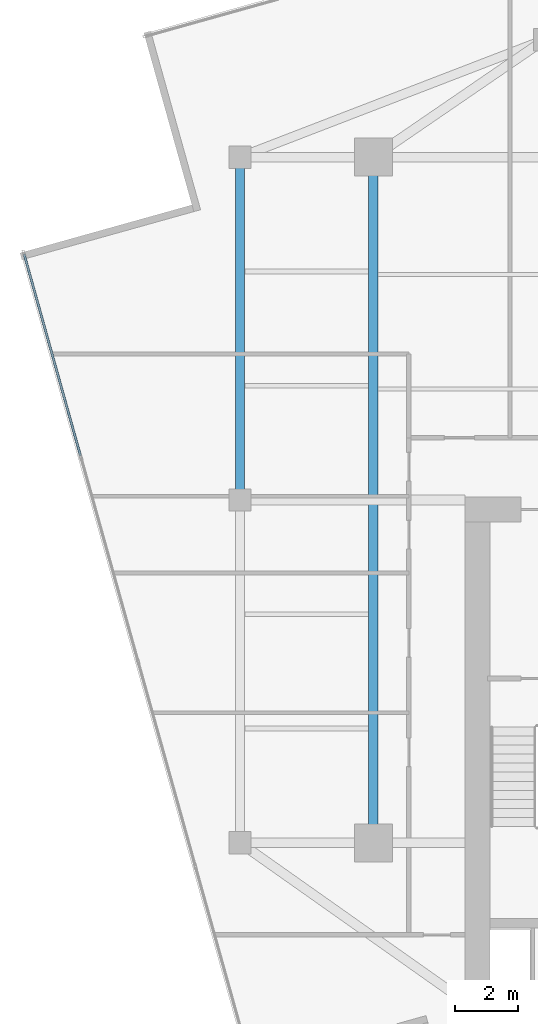
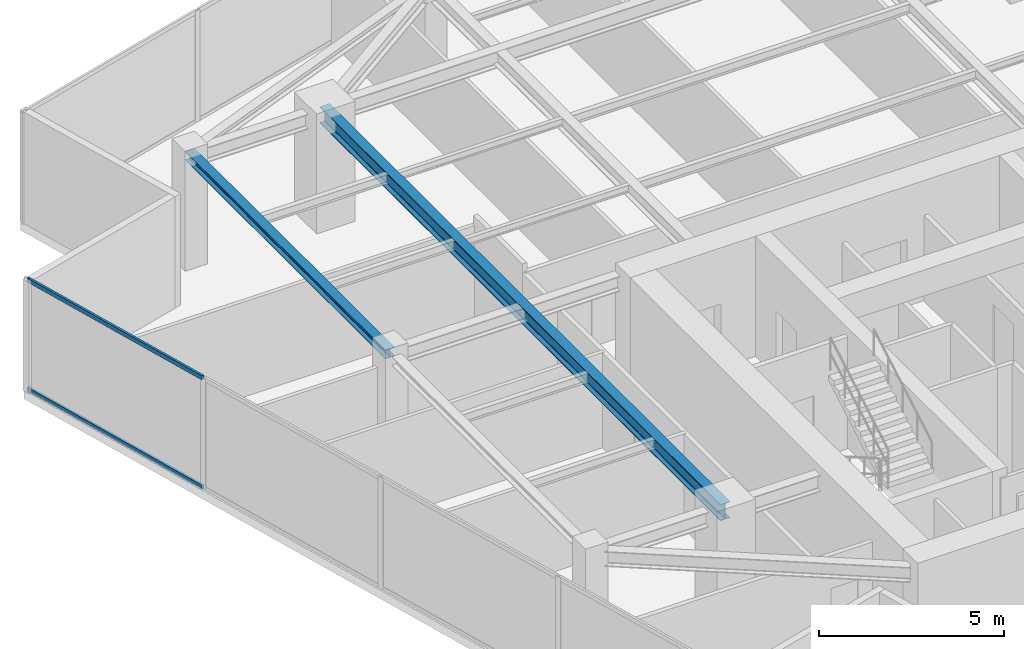
# One storey, part 6 of 20: 2 beams, 2 members, 1 element without a shape of its own.
"""IFC4 building model written with IfcOpenShell, lengths in metres."""

import ifcopenshell
import ifcopenshell.guid

model = None  # the IFC model being written
_history = None  # IfcOwnerHistory: only IFC2X3 demands one
_inside = {}  # id of a spatial element -> (the spatial element, [elements in it])
_under = {}  # id of a project, library or spatial element -> (it, [spatial elements below it])
_declared = {}  # id of a project -> (the project, [libraries it declares])
_typed = {}  # id of a type object -> (the type object, [elements of that type])
_made_of = {}  # id of a material, layer set ... -> (it, [elements and type objects made of it])


def new_model(schema):
    """Start an empty IFC model of exactly this schema.

    Asked for "IFC4X3", IfcOpenShell would pick the latest addendum, in which some entities
    have other attributes; the version numbers below select the first issue.
    IFC2X3 requires an IfcOwnerHistory on every rooted entity: one is made here for all.
    """
    global model, _history
    if schema == "IFC4X3":
        model = ifcopenshell.file(schema_version=(4, 3, 0, 0))
    else:
        model = ifcopenshell.file(schema=schema)
    _inside.clear()
    _under.clear()
    _declared.clear()
    _typed.clear()
    _made_of.clear()
    _history = None
    if model.schema == "IFC2X3":
        org = make("IfcOrganization", Name="unknown")
        user = make(
            "IfcPersonAndOrganization",
            ThePerson=make("IfcPerson", FamilyName="unknown"),
            TheOrganization=org,
        )
        app = make(
            "IfcApplication",
            ApplicationDeveloper=org,
            Version="unknown",
            ApplicationFullName="unknown",
            ApplicationIdentifier="unknown",
        )
        _history = make(
            "IfcOwnerHistory",
            OwningUser=user,
            OwningApplication=app,
            ChangeAction="ADDED",
            CreationDate=0,
        )
    return model


def make(cls, **values):
    """One entity of the class cls with the attributes given. An attribute that is None is left unset."""
    return model.create_entity(
        cls, **{name: value for name, value in values.items() if value is not None}
    )


def rooted(cls, **values):
    """An entity with a GlobalId (a new one), such as an element, a storey or a relation."""
    return make(cls, GlobalId=ifcopenshell.guid.new(), OwnerHistory=_history, **values)


def si_unit(unit_type, name, prefix=None):
    """IfcSIUnit, for example si_unit("LENGTHUNIT", "METRE", prefix="MILLI")."""
    return make("IfcSIUnit", UnitType=unit_type, Prefix=prefix, Name=name)


def assignment(units):
    """IfcUnitAssignment: the units of a project."""
    return None if units is None else make("IfcUnitAssignment", Units=units)


def point(xyz):
    """IfcCartesianPoint."""
    return None if xyz is None else make("IfcCartesianPoint", Coordinates=xyz)


def direction(xyz):
    """IfcDirection."""
    return None if xyz is None else make("IfcDirection", DirectionRatios=xyz)


def frame(location, z_axis=None, x_axis=None):
    """IfcAxis2Placement3D, a coordinate frame: its origin and axes. An axis left out is left unset."""
    return make(
        "IfcAxis2Placement3D",
        Location=point(location),
        Axis=direction(z_axis),
        RefDirection=direction(x_axis),
    )


def frame_2d(location, x_axis=None):
    """IfcAxis2Placement2D, a coordinate frame in the plane: its origin and x axis."""
    return make(
        "IfcAxis2Placement2D", Location=point(location), RefDirection=direction(x_axis)
    )


def origin():
    """The frame at (0, 0, 0) with its axes left unset."""
    return frame((0.0, 0.0, 0.0))


def origin_2d():
    """The frame at (0, 0) in the plane with its x axis left unset."""
    return frame_2d((0.0, 0.0))


def place(relative_to, where):
    """IfcLocalPlacement: puts the frame where relative to a parent placement (None: the world)."""
    return make(
        "IfcLocalPlacement", PlacementRelTo=relative_to, RelativePlacement=where
    )


def context(
    kind, dimensions, precision=None, world=None, true_north=None, identifier=None
):
    """IfcGeometricRepresentationContext, for example the 3D "Model" context."""
    return make(
        "IfcGeometricRepresentationContext",
        ContextIdentifier=identifier,
        ContextType=kind,
        CoordinateSpaceDimension=dimensions,
        Precision=precision,
        WorldCoordinateSystem=world,
        TrueNorth=true_north,
    )


def subcontext(parent, identifier, kind, view, scale=None):
    """IfcGeometricRepresentationSubContext, for example "Body" below "Model"."""
    return make(
        "IfcGeometricRepresentationSubContext",
        ContextIdentifier=identifier,
        ContextType=kind,
        ParentContext=parent,
        TargetScale=scale,
        TargetView=view,
    )


def project(units=None, contexts=None):
    """IfcProject with its units and contexts."""
    return rooted(
        "IfcProject",
        Name="project",
        RepresentationContexts=contexts,
        UnitsInContext=assignment(units),
    )


def spatial(cls, under=None, at=None, **own):
    """A site, building, storey or space (cls), placed at a placement, below another one or the project."""
    s = rooted(cls, ObjectPlacement=at, **own)
    if under is not None:
        _under.setdefault(under.id(), (under, []))[1].append(s)
    return s


def profile(cls, at=None, kind="AREA", **sizes):
    """A parametric profile (cls). Its sizes go by their IFC names, for example OverallWidth=200.0."""
    return make(cls, ProfileType=kind, Position=at, **sizes)


def hollow_rectangle(**sizes):
    """IfcRectangleHollowProfileDef."""
    return profile("IfcRectangleHollowProfileDef", **sizes)


def i_section(**sizes):
    """IfcIShapeProfileDef."""
    return profile("IfcIShapeProfileDef", **sizes)


def extrude(swept, where, along, depth):
    """IfcExtrudedAreaSolid: the profile swept, set in the frame where, extruded along a direction by depth."""
    return make(
        "IfcExtrudedAreaSolid",
        SweptArea=swept,
        Position=where,
        ExtrudedDirection=direction(along),
        Depth=depth,
    )


def shape(context_of_items, identifier, shape_type, items):
    """IfcShapeRepresentation: the items that make up one representation, for example the "Body"."""
    return make(
        "IfcShapeRepresentation",
        ContextOfItems=context_of_items,
        RepresentationIdentifier=identifier,
        RepresentationType=shape_type,
        Items=items,
    )


def source(mapping_origin, context_of_items, identifier, shape_type, items):
    """IfcRepresentationMap: a shape defined once, which mapped items show again and again."""
    return make(
        "IfcRepresentationMap",
        MappingOrigin=mapping_origin,
        MappedRepresentation=shape(context_of_items, identifier, shape_type, items),
    )


def transform(
    local_origin,
    x_axis=None,
    y_axis=None,
    z_axis=None,
    scale=None,
    scale2=None,
    scale3=None,
    uniform=True,
):
    """IfcCartesianTransformationOperator3D, or its non-uniform kind. x_axis, y_axis, z_axis: its Axis1, 2, 3."""
    if uniform:
        return make(
            "IfcCartesianTransformationOperator3D",
            Axis1=direction(x_axis),
            Axis2=direction(y_axis),
            LocalOrigin=point(local_origin),
            Scale=scale,
            Axis3=direction(z_axis),
        )
    return make(
        "IfcCartesianTransformationOperator3DnonUniform",
        Axis1=direction(x_axis),
        Axis2=direction(y_axis),
        LocalOrigin=point(local_origin),
        Scale=scale,
        Axis3=direction(z_axis),
        Scale2=scale2,
        Scale3=scale3,
    )


def mapped(mapping_source, mapping_target):
    """IfcMappedItem: shows the shape of a source again, moved by a transform."""
    return make(
        "IfcMappedItem", MappingSource=mapping_source, MappingTarget=mapping_target
    )


def material(Name=None, Category=None):
    """IfcMaterial."""
    return make("IfcMaterial", Name=Name, Category=Category)


def material_profile(
    of_material, cross_section, Name=None, Category=None, Priority=None
):
    """IfcMaterialProfile: a cross section and its material."""
    return make(
        "IfcMaterialProfile",
        Name=Name,
        Material=of_material,
        Profile=cross_section,
        Priority=Priority,
        Category=Category,
    )


def profile_set(profiles, Name=None, composite=None):
    """IfcMaterialProfileSet."""
    return make(
        "IfcMaterialProfileSet",
        Name=Name,
        MaterialProfiles=profiles,
        CompositeProfile=composite,
    )


def made_of(thing, what):
    """Note that an element or type object is made of a material, layer set ...; save() writes the relation."""
    if what is not None:
        _made_of.setdefault(what.id(), (what, []))[1].append(thing)
    return thing


def type_object(cls, material=None, **own):
    """A type object (cls), such as IfcWallType, which elements share."""
    return made_of(rooted(cls, **own), material)


def type_shapes(of_type, sources):
    """Give a type object the sources (RepresentationMaps) that its elements show as mapped items."""
    of_type.RepresentationMaps = sources


def element(
    cls,
    number,
    at=None,
    inside=None,
    cuts=None,
    type_object=None,
    material=None,
    context=None,
    identifier="Body",
    shape_type=None,
    held_by="IfcProductDefinitionShape",
    body=None,
    shapes=None,
    **own,
):
    """One element of the class cls, such as IfcWall. Its Tag is "e" and its number.

    at: its placement. inside: the storey or other place that contains it. cuts: it is an
    opening in that element (IfcRelVoidsElement). A single representation is given by context,
    identifier, shape_type and body (its items); several are given by shapes. held_by: the class
    of the entity that holds the representations. save() writes the other relations.
    """
    e = rooted(cls, Tag="e%d" % number, ObjectPlacement=at, **own)
    if body is not None:
        shapes = [shape(context, identifier, shape_type, body)]
    if shapes is not None:
        e.Representation = make(held_by, Representations=shapes)
    if inside is not None:
        _inside.setdefault(inside.id(), (inside, []))[1].append(e)
    if cuts is not None:
        rooted(
            "IfcRelVoidsElement", RelatingBuildingElement=cuts, RelatedOpeningElement=e
        )
    if type_object is not None:
        _typed.setdefault(type_object.id(), (type_object, []))[1].append(e)
    return made_of(e, material)


def aggregate(whole, parts):
    """IfcRelAggregates: a whole, such as a stair, and the parts it consists of."""
    return rooted("IfcRelAggregates", RelatingObject=whole, RelatedObjects=parts)


def save(model, path):
    """Write the relations noted so far, then the file.

    IfcRelAggregates (storeys below a building ...), IfcRelContainedInSpatialStructure (elements
    in a storey), IfcRelDefinesByType, IfcRelAssociatesMaterial and IfcRelDeclares: one each for
    every whole, place, type object, material and project.
    """
    for whole, parts in _under.values():
        aggregate(whole, parts)
    for where, things in _inside.values():
        rooted(
            "IfcRelContainedInSpatialStructure",
            RelatedElements=things,
            RelatingStructure=where,
        )
    for kind, things in _typed.values():
        rooted("IfcRelDefinesByType", RelatedObjects=things, RelatingType=kind)
    for what, things in _made_of.values():
        rooted("IfcRelAssociatesMaterial", RelatedObjects=things, RelatingMaterial=what)
    for by, libraries in _declared.values():
        rooted("IfcRelDeclares", RelatingContext=by, RelatedDefinitions=libraries)
    model.write(path)


model = new_model("IFC4")

# Units and contexts
model_context = context("Model", 3, precision=1e-05, world=origin(), true_north=direction((0.0, 1.0)))
body_context = subcontext(model_context, "Body", "Model", "MODEL_VIEW")
ifc_project = project(units=[si_unit("LENGTHUNIT", "METRE"), si_unit("AREAUNIT", "SQUARE_METRE"), si_unit("VOLUMEUNIT", "CUBIC_METRE"), si_unit("PLANEANGLEUNIT", "RADIAN"), si_unit("MASSUNIT", "GRAM", prefix="KILO")], contexts=[model_context])

# Site, building, storey
site_placement = place(None, origin())
site = spatial("IfcSite", under=ifc_project, at=site_placement, CompositionType="ELEMENT")
building_placement = place(site_placement, origin())
building = spatial("IfcBuilding", under=site, at=building_placement, Name="Krantzveldt Concourse Tower", CompositionType="ELEMENT")
storey_placement = place(building_placement, frame((0.0, 0.0, 351.39990234375)))
storey = spatial("IfcBuildingStorey", under=building, at=storey_placement, Name="L86", CompositionType="ELEMENT", Elevation=351.39990234375)

# Beams
ifc_material_1 = material(Name="Steel S355JR", Category="steel")
ifc_material_profile_1 = material_profile(ifc_material_1, i_section(OverallWidth=0.300048828125, OverallDepth=0.5400390625, WebThickness=0.012451171875, FlangeThickness=0.02392578125, FilletRadius=0.027099609375, at=origin_2d()), Name="Steel S355JR", Category="steel")
ifc_profile_set_1 = profile_set([ifc_material_profile_1], Name="Steel S355JR - HEA 550")
beam_type_1 = type_object("IfcBeamType", Name="BM-B-HEA550", PredefinedType="BEAM", material=ifc_profile_set_1)
shared_shape_1 = source(origin(), body_context, "Body", "SweptSolid", [
    extrude(i_section(OverallWidth=0.300048828125, OverallDepth=0.5400390625, WebThickness=0.012451171875, FlangeThickness=0.02392578125, FilletRadius=0.027099609375, at=origin_2d()), origin(), (0.0, 0.0, 1.0), 21.60009765625),
])
type_shapes(beam_type_1, [shared_shape_1])
beam_1_placement = place(storey_placement, frame((25.199951171875, 15.89990234375, 3.400146484375), z_axis=(0.0, 1.0, 0.0), x_axis=(-1.0, 0.0, 0.0)))
element("IfcBeam", 1, at=beam_1_placement, inside=storey, type_object=beam_type_1, Name="L86 Tower Girder BG-MW", PredefinedType="BEAM", context=body_context, shape_type="MappedRepresentation", body=[
    mapped(shared_shape_1, transform((0.0, 0.0, 0.0), x_axis=(1.0, 0.0, 0.0), y_axis=(0.0, 1.0, 0.0), z_axis=(0.0, 0.0, 1.0), scale=1.0)),
])
ifc_material_profile_2 = material_profile(ifc_material_1, i_section(OverallWidth=0.2900390625, OverallDepth=0.2900390625, WebThickness=0.008544921875, FlangeThickness=0.013916015625, FilletRadius=0.027099609375, at=origin_2d()), Name="Steel S355JR", Category="steel")
ifc_profile_set_2 = profile_set([ifc_material_profile_2], Name="Steel S355JR - HEA 300")
beam_type_2 = type_object("IfcBeamType", Name="BM-SP-HEA300", PredefinedType="SPANDREL", material=ifc_profile_set_2)
shared_shape_2 = source(origin(), body_context, "Body", "SweptSolid", [
    extrude(i_section(OverallWidth=0.2900390625, OverallDepth=0.2900390625, WebThickness=0.008544921875, FlangeThickness=0.013916015625, FilletRadius=0.027099609375, at=origin_2d()), origin(), (0.0, 0.0, 1.0), 10.800048828125),
])
type_shapes(beam_type_2, [shared_shape_2])
beam_2_placement = place(storey_placement, frame((21.0, 26.699951171875, 3.525146484375), z_axis=(0.0, 1.0, 0.0), x_axis=(-1.0, 0.0, 0.0)))
element("IfcBeam", 2, at=beam_2_placement, inside=storey, type_object=beam_type_2, Name="L86 Tower Girder SP-R02", PredefinedType="SPANDREL", context=body_context, shape_type="MappedRepresentation", body=[
    mapped(shared_shape_2, transform((0.0, 0.0, 0.0), x_axis=(1.0, 0.0, 0.0), y_axis=(0.0, 1.0, 0.0), z_axis=(0.0, 0.0, 1.0), scale=1.0)),
])

# Curtain wall, members
ifc_material_2 = material(Name="Anodised aluminium 6063-T6", Category="aluminium")
curtain_wall_type = type_object("IfcCurtainWallType", Name="CW4", PredefinedType="USERDEFINED", material=ifc_material_2)
curtain_wall_placement = place(storey_placement, origin())
curtain_wall = element("IfcCurtainWall", 3, at=curtain_wall_placement, inside=storey, type_object=curtain_wall_type, Name="CW-L86-F04", ObjectType="UNITISED CURTAIN WALL", PredefinedType="USERDEFINED")
ifc_material_profile_3 = material_profile(ifc_material_2, hollow_rectangle(XDim=0.070068359375, YDim=0.139892578125, WallThickness=0.0048828125, at=origin_2d()), Name="Anodised aluminium 6063-T6", Category="aluminium")
ifc_profile_set_3 = profile_set([ifc_material_profile_3], Name="Anodised aluminium 6063-T6 - ALU-TRAN 140x70x5")
member_type = type_object("IfcMemberType", Name="CW-TRN-150", PredefinedType="USERDEFINED", material=ifc_profile_set_3)
shared_shape_3 = source(origin(), body_context, "Body", "SweptSolid", [
    extrude(hollow_rectangle(XDim=0.070068359375, YDim=0.139892578125, WallThickness=0.0048828125, at=origin_2d()), origin(), (0.0, 0.0, 1.0), 6.594970703125),
])
type_shapes(member_type, [shared_shape_3])
member_1_placement = place(storey_placement, frame((14.198486328125, 34.444091796875, 0.03515625), z_axis=(0.269348428694, -0.963042794459, 0.0), x_axis=(0.963042794459, 0.269348428694, 0.0)))
member_1 = element("IfcMember", 4, at=member_1_placement, type_object=member_type, Name="CW-Z56 transom 1.1", ObjectType="TRANSOM", PredefinedType="USERDEFINED", context=body_context, shape_type="MappedRepresentation", body=[
    mapped(shared_shape_3, transform((0.0, 0.0, 0.0), x_axis=(1.0, 0.0, 0.0), y_axis=(0.0, 1.0, 0.0), z_axis=(0.0, 0.0, 1.0), scale=1.0)),
])
member_2_placement = place(storey_placement, frame((14.198486328125, 34.444091796875, 3.635009765625), z_axis=(0.269348428694, -0.963042794459, 0.0), x_axis=(0.963042794459, 0.269348428694, 0.0)))
member_2 = element("IfcMember", 5, at=member_2_placement, type_object=member_type, Name="CW-Z56 transom 1.2", ObjectType="TRANSOM", PredefinedType="USERDEFINED", context=body_context, shape_type="MappedRepresentation", body=[
    mapped(shared_shape_3, transform((0.0, 0.0, 0.0), x_axis=(1.0, 0.0, 0.0), y_axis=(0.0, 1.0, 0.0), z_axis=(0.0, 0.0, 1.0), scale=1.0)),
])
aggregate(curtain_wall, [member_1, member_2])

save(model, "model.ifc")
